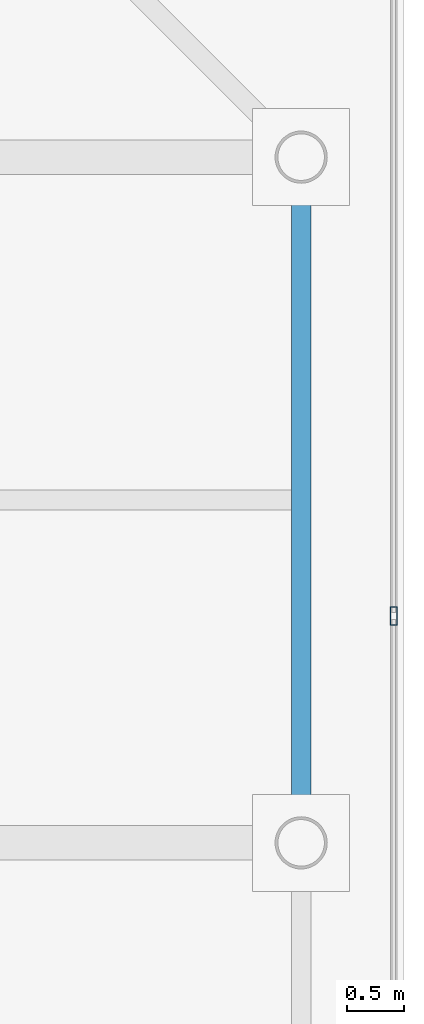
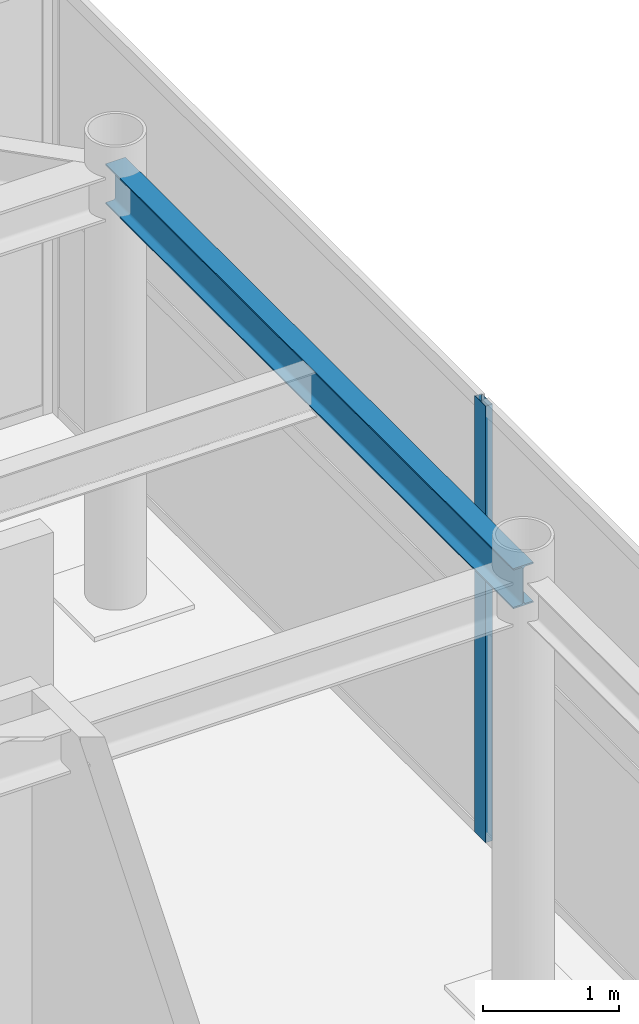
# One storey, part 19 of 32: 1 beam, 1 member, 1 element without a shape of its own.
"""IFC4 building model written with IfcOpenShell, lengths in metres."""

from ifc_helpers import new_model, si_unit, direction, frame, origin, origin_2d, place, context, subcontext, project, spatial, hollow_rectangle, i_section, extrude, source, transform, mapped, material, layer, layer_set, material_profile, profile_set, type_object, element, aggregate, save


model = new_model("IFC4")

# Units and contexts
model_context = context("Model", 3, precision=1e-05, world=origin(), true_north=direction((0.0, 1.0)))
body_context = subcontext(model_context, "Body", "Model", "MODEL_VIEW")
ifc_project = project(units=[si_unit("LENGTHUNIT", "METRE"), si_unit("AREAUNIT", "SQUARE_METRE"), si_unit("VOLUMEUNIT", "CUBIC_METRE"), si_unit("PLANEANGLEUNIT", "RADIAN"), si_unit("MASSUNIT", "GRAM", prefix="KILO")], contexts=[model_context])

# Site, building, storey
site_placement = place(None, origin())
site = spatial("IfcSite", under=ifc_project, at=site_placement, CompositionType="ELEMENT")
building_placement = place(site_placement, origin())
building = spatial("IfcBuilding", under=site, at=building_placement, Name="Khoralis Quay Care Tower", CompositionType="ELEMENT")
storey_placement = place(building_placement, frame((0.0, 0.0, 293.699951171875)))
storey = spatial("IfcBuildingStorey", under=building, at=storey_placement, Name="L77", CompositionType="ELEMENT", Elevation=293.699951171875)

# Beam
ifc_material_1 = material(Name="Steel S355", Category="steel")
ifc_material_profile_1 = material_profile(ifc_material_1, i_section(OverallWidth=0.169921875, OverallDepth=0.360107421875, WebThickness=0.008056640625, FlangeThickness=0.0126953125, FilletRadius=0.01806640625, at=origin_2d()), Name="Steel S355")
ifc_profile_set_1 = profile_set([ifc_material_profile_1], Name="Steel S355")
beam_type = type_object("IfcBeamType", Name="BM-IPE360", PredefinedType="SPANDREL", material=ifc_profile_set_1)
shared_shape_1 = source(origin(), body_context, "Body", "SweptSolid", [
    extrude(i_section(OverallWidth=0.169921875, OverallDepth=0.360107421875, WebThickness=0.008056640625, FlangeThickness=0.0126953125, FilletRadius=0.01806640625, at=origin_2d()), origin(), (0.0, 0.0, 1.0), 6.0),
])
beam_placement = place(storey_placement, frame((41.10009765625, 30.0, 3.739990234375), z_axis=(0.0, 1.0, 0.0), x_axis=(-1.0, 0.0, 0.0)))
element("IfcBeam", 1, at=beam_placement, inside=storey, type_object=beam_type, Name="BM-TSP-L77-16", PredefinedType="SPANDREL", context=body_context, shape_type="MappedRepresentation", body=[
    mapped(shared_shape_1, transform((0.0, 0.0, 0.0), scale=1.0)),
])

# Curtain wall, member
ifc_material_2 = material(Name="Pale anodised aluminium", Category="aluminium")
ifc_layer = layer(ifc_material_2, 0.199951171875)
ifc_layer_set = layer_set([ifc_layer], Name="Pale anodised aluminium")
curtain_wall_type = type_object("IfcCurtainWallType", Name="CW-SYS-LANTERN", PredefinedType="NOTDEFINED", material=ifc_layer_set)
curtain_wall_placement = place(storey_placement, origin())
curtain_wall = element("IfcCurtainWall", 2, at=curtain_wall_placement, inside=storey, type_object=curtain_wall_type, Name="L77 Unitised Curtain Wall CW-LN-L77-06", PredefinedType="NOTDEFINED")
ifc_material_profile_2 = material_profile(ifc_material_2, hollow_rectangle(XDim=0.06005859375, YDim=0.159912109375, WallThickness=0.00390625, at=origin_2d()), Name="Pale anodised aluminium")
ifc_profile_set_2 = profile_set([ifc_material_profile_2], Name="Pale anodised aluminium")
member_type = type_object("IfcMemberType", Name="CW-MUL-160", PredefinedType="MULLION", material=ifc_profile_set_2)
shared_shape_2 = source(origin(), body_context, "Body", "SweptSolid", [
    extrude(hollow_rectangle(XDim=0.06005859375, YDim=0.159912109375, WallThickness=0.00390625, at=origin_2d()), origin(), (0.0, 0.0, 1.0), 3.920166015625),
])
member_placement = place(storey_placement, frame((41.909912109375, 31.986083984375, 0.0), z_axis=(0.0, 0.0, 1.0), x_axis=(-1.0, 0.0, 0.0)))
member = element("IfcMember", 3, at=member_placement, type_object=member_type, Name="CW5 mullion 5", PredefinedType="MULLION", context=body_context, shape_type="MappedRepresentation", body=[
    mapped(shared_shape_2, transform((0.0, 0.0, 0.0), scale=1.0)),
])
aggregate(curtain_wall, [member])

save(model, "model.ifc")
